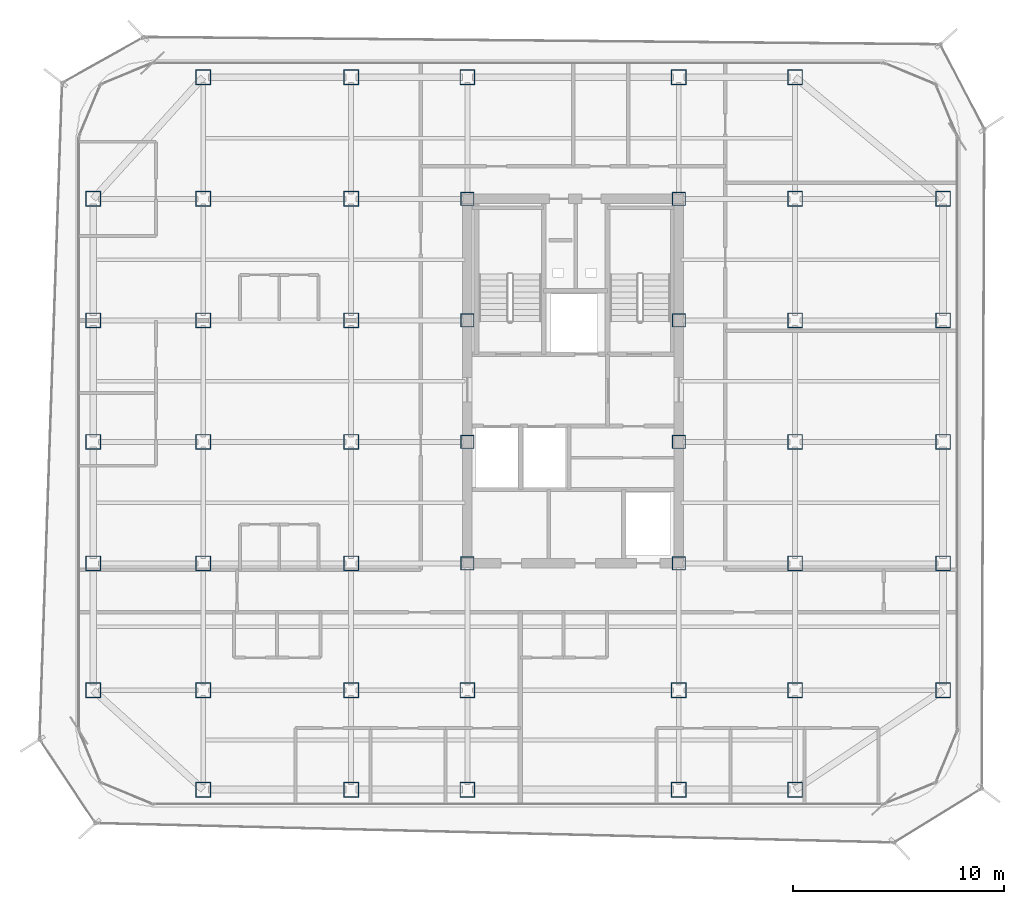
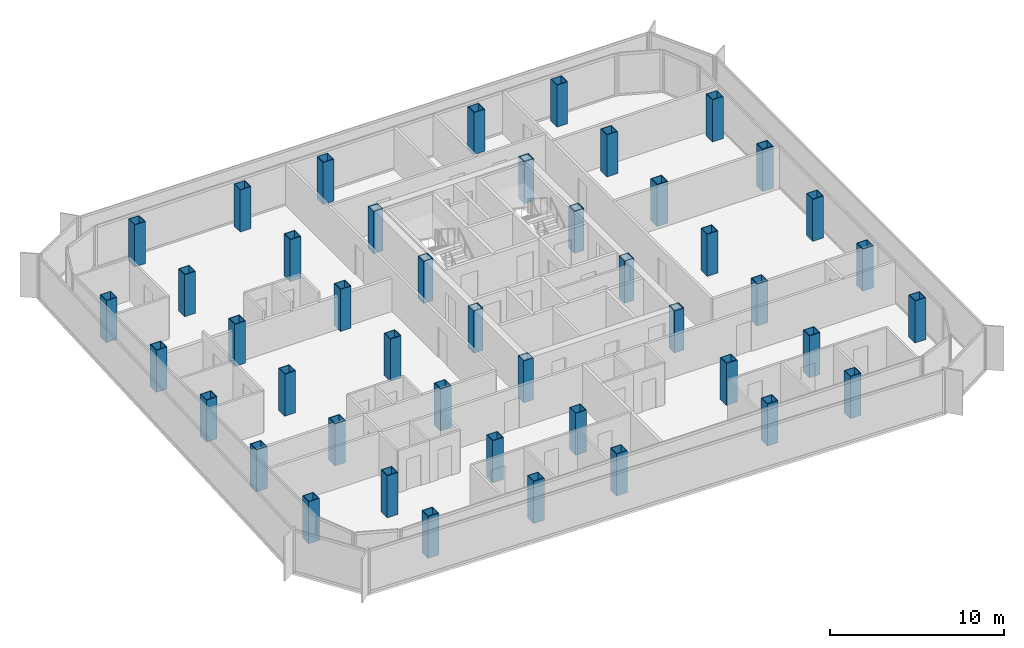
# One storey, part 1 of 15: 45 columns.
"""IFC4 building model written with IfcOpenShell, lengths in metres."""

from ifc_helpers import new_model, si_unit, direction, frame, origin, origin_2d, place, context, subcontext, project, spatial, hollow_rectangle, extrude, source, transform, mapped, material, material_profile, profile_set, type_object, element, save


model = new_model("IFC4")

# Units and contexts
model_context = context("Model", 3, precision=1e-05, world=origin(), true_north=direction((0.0, 1.0)))
body_context = subcontext(model_context, "Body", "Model", "MODEL_VIEW")
ifc_project = project(units=[si_unit("LENGTHUNIT", "METRE"), si_unit("AREAUNIT", "SQUARE_METRE"), si_unit("VOLUMEUNIT", "CUBIC_METRE"), si_unit("PLANEANGLEUNIT", "RADIAN"), si_unit("MASSUNIT", "GRAM", prefix="KILO")], contexts=[model_context])

# Site, building, storey
site_placement = place(None, origin())
site = spatial("IfcSite", under=ifc_project, at=site_placement, CompositionType="ELEMENT")
building_placement = place(site_placement, origin())
building = spatial("IfcBuilding", under=site, at=building_placement, Name="Kolveth Station Tower", CompositionType="ELEMENT")
storey_placement = place(building_placement, frame((0.0, 0.0, 181.699951171875)))
storey = spatial("IfcBuildingStorey", under=building, at=storey_placement, Name="L51", CompositionType="ELEMENT", Elevation=181.699951171875)

# Columns
ifc_material = material(Name="Steel S355", Category="steel")
ifc_material_profile_1 = material_profile(ifc_material, hollow_rectangle(XDim=0.719970703125, YDim=0.719970703125, WallThickness=0.0400390625, at=origin_2d()), Name="BOX720x720x40")
ifc_profile_set_1 = profile_set([ifc_material_profile_1], Name="Steel S355")
column_type_1 = type_object("IfcColumnType", Name="Col_C6", PredefinedType="COLUMN", material=ifc_profile_set_1)
shared_shape_1 = source(origin(), body_context, "Body", "SweptSolid", [
    extrude(hollow_rectangle(XDim=0.719970703125, YDim=0.719970703125, WallThickness=0.0400390625, at=origin_2d()), origin(), (0.0, 0.0, 1.0), 2.949951171875),
])
for number, where, z_axis, x_axis, name in (
    (1, (6.0, 0.800048828125, 0.0), (0.0, 0.0, 1.0), (1.0, 0.0, 0.0), "L51 Tower Column S-X60"),
    (2, (6.0, 34.5, 0.0), (0.0, 0.0, 1.0), (1.0, 0.0, 0.0), "L51 Tower Column N-X60"),
    (3, (13.0, 0.800048828125, 0.0), (0.0, 0.0, 1.0), (1.0, 0.0, 0.0), "L51 Tower Column S-X130"),
    (4, (13.0, 34.5, 0.0), (0.0, 0.0, 1.0), (1.0, 0.0, 0.0), "L51 Tower Column N-X130"),
    (5, (18.5, 0.800048828125, 0.0), (0.0, 0.0, 1.0), (1.0, 0.0, 0.0), "L51 Tower Column S-X185"),
    (6, (18.5, 34.5, 0.0), (0.0, 0.0, 1.0), (1.0, 0.0, 0.0), "L51 Tower Column N-X185"),
    (7, (28.5, 0.800048828125, 0.0), (0.0, 0.0, 1.0), (1.0, 0.0, 0.0), "L51 Tower Column S-X285"),
    (8, (28.5, 34.5, 0.0), (0.0, 0.0, 1.0), (1.0, 0.0, 0.0), "L51 Tower Column N-X285"),
    (9, (34.0, 0.800048828125, 0.0), (0.0, 0.0, 1.0), (1.0, 0.0, 0.0), "L51 Tower Column S-X340"),
    (10, (34.0, 34.5, 0.0), (0.0, 0.0, 1.0), (1.0, 0.0, 0.0), "L51 Tower Column N-X340"),
    (11, (0.800048828125, 5.5, 0.0), (0.0, 0.0, 1.0), (1.0, 0.0, 0.0), "L51 Tower Column W-Y55"),
    (12, (41.0, 5.5, 0.0), (0.0, 0.0, 1.0), (1.0, 0.0, 0.0), "L51 Tower Column E-Y55"),
    (13, (0.800048828125, 11.5, 0.0), (0.0, 0.0, 1.0), (1.0, 0.0, 0.0), "L51 Tower Column W-Y115"),
    (14, (41.0, 11.5, 0.0), (0.0, 0.0, 1.0), (1.0, 0.0, 0.0), "L51 Tower Column E-Y115"),
    (15, (0.800048828125, 17.25, 0.0), (0.0, 0.0, 1.0), (1.0, 0.0, 0.0), "L51 Tower Column W-Y172"),
    (16, (41.0, 17.25, 0.0), (0.0, 0.0, 1.0), (1.0, 0.0, 0.0), "L51 Tower Column E-Y172"),
    (17, (0.800048828125, 23.0, 0.0), (0.0, 0.0, 1.0), (1.0, 0.0, 0.0), "L51 Tower Column W-Y230"),
    (18, (41.0, 23.0, 0.0), (0.0, 0.0, 1.0), (1.0, 0.0, 0.0), "L51 Tower Column E-Y230"),
    (19, (0.800048828125, 28.75, 0.0), (0.0, 0.0, 1.0), (1.0, 0.0, 0.0), "L51 Tower Column W-Y287"),
    (20, (41.0, 28.75, 0.0), (0.0, 0.0, 1.0), (1.0, 0.0, 0.0), "L51 Tower Column E-Y287"),
    (21, (6.0, 5.5, 0.0), (0.0, 0.0, 1.0), (1.0, 0.0, 0.0), "L51 Tower Column G-60-55"),
    (22, (6.0, 11.5, 0.0), (0.0, 0.0, 1.0), (1.0, 0.0, 0.0), "L51 Tower Column G-60-115"),
    (23, (6.0, 17.25, 0.0), (0.0, 0.0, 1.0), (1.0, 0.0, 0.0), "L51 Tower Column G-60-172"),
    (24, (6.0, 23.0, 0.0), (0.0, 0.0, 1.0), (1.0, 0.0, 0.0), "L51 Tower Column G-60-230"),
    (25, (6.0, 28.75, 0.0), (0.0, 0.0, 1.0), (1.0, 0.0, 0.0), "L51 Tower Column G-60-287"),
    (26, (13.0, 5.5, 0.0), (0.0, 0.0, 1.0), (1.0, 0.0, 0.0), "L51 Tower Column G-130-55"),
    (27, (13.0, 11.5, 0.0), (0.0, 0.0, 1.0), (1.0, 0.0, 0.0), "L51 Tower Column G-130-115"),
    (28, (13.0, 17.25, 0.0), (0.0, 0.0, 1.0), (1.0, 0.0, 0.0), "L51 Tower Column G-130-172"),
    (29, (13.0, 23.0, 0.0), (0.0, 0.0, 1.0), (1.0, 0.0, 0.0), "L51 Tower Column G-130-230"),
    (30, (13.0, 28.75, 0.0), (0.0, 0.0, 1.0), (1.0, 0.0, 0.0), "L51 Tower Column G-130-287"),
    (31, (18.5, 5.5, 0.0), (0.0, 0.0, 1.0), (1.0, 0.0, 0.0), "L51 Tower Column G-185-55"),
    (32, (28.5, 5.5, 0.0), (0.0, 0.0, 1.0), (1.0, 0.0, 0.0), "L51 Tower Column G-285-55"),
    (33, (34.0, 5.5, 0.0), (0.0, 0.0, 1.0), (1.0, 0.0, 0.0), "L51 Tower Column G-340-55"),
    (34, (34.0, 11.5, 0.0), (0.0, 0.0, 1.0), (1.0, 0.0, 0.0), "L51 Tower Column G-340-115"),
    (35, (34.0, 17.25, 0.0), (0.0, 0.0, 1.0), (1.0, 0.0, 0.0), "L51 Tower Column G-340-172"),
    (36, (34.0, 23.0, 0.0), (0.0, 0.0, 1.0), (1.0, 0.0, 0.0), "L51 Tower Column G-340-230"),
    (37, (34.0, 28.75, 0.0), (0.0, 0.0, 1.0), (1.0, 0.0, 0.0), "L51 Tower Column G-340-287"),
):
    element("IfcColumn", number, at=place(storey_placement, frame(where, z_axis=z_axis, x_axis=x_axis)), inside=storey, type_object=column_type_1, Name=name, PredefinedType="COLUMN", context=body_context, shape_type="MappedRepresentation", body=[
        mapped(shared_shape_1, transform((0.0, 0.0, 0.0), x_axis=(1.0, 0.0, 0.0), y_axis=(0.0, 1.0, 0.0), z_axis=(0.0, 0.0, 1.0), scale=1.0)),
    ])
ifc_material_profile_2 = material_profile(ifc_material, hollow_rectangle(XDim=0.639892578125, YDim=0.639892578125, WallThickness=0.034912109375, at=origin_2d()), Name="BOX640x640x35")
ifc_profile_set_2 = profile_set([ifc_material_profile_2], Name="Steel S355")
column_type_2 = type_object("IfcColumnType", Name="Col_C7", PredefinedType="COLUMN", material=ifc_profile_set_2)
shared_shape_2 = source(origin(), body_context, "Body", "SweptSolid", [
    extrude(hollow_rectangle(XDim=0.639892578125, YDim=0.639892578125, WallThickness=0.034912109375, at=origin_2d()), origin(), (0.0, 0.0, 1.0), 2.949951171875),
])
for number, where, z_axis, x_axis, name in (
    (38, (18.5, 11.5, 0.0), (0.0, 0.0, 1.0), (1.0, 0.0, 0.0), "L51 Tower Column G-185-115"),
    (39, (18.5, 17.25, 0.0), (0.0, 0.0, 1.0), (1.0, 0.0, 0.0), "L51 Tower Column G-185-172"),
    (40, (18.5, 23.0, 0.0), (0.0, 0.0, 1.0), (1.0, 0.0, 0.0), "L51 Tower Column G-185-230"),
    (41, (18.5, 28.75, 0.0), (0.0, 0.0, 1.0), (1.0, 0.0, 0.0), "L51 Tower Column G-185-287"),
    (42, (28.5, 11.5, 0.0), (0.0, 0.0, 1.0), (1.0, 0.0, 0.0), "L51 Tower Column G-285-115"),
    (43, (28.5, 17.25, 0.0), (0.0, 0.0, 1.0), (1.0, 0.0, 0.0), "L51 Tower Column G-285-172"),
    (44, (28.5, 23.0, 0.0), (0.0, 0.0, 1.0), (1.0, 0.0, 0.0), "L51 Tower Column G-285-230"),
    (45, (28.5, 28.75, 0.0), (0.0, 0.0, 1.0), (1.0, 0.0, 0.0), "L51 Tower Column G-285-287"),
):
    element("IfcColumn", number, at=place(storey_placement, frame(where, z_axis=z_axis, x_axis=x_axis)), inside=storey, type_object=column_type_2, Name=name, PredefinedType="COLUMN", context=body_context, shape_type="MappedRepresentation", body=[
        mapped(shared_shape_2, transform((0.0, 0.0, 0.0), x_axis=(1.0, 0.0, 0.0), y_axis=(0.0, 1.0, 0.0), z_axis=(0.0, 0.0, 1.0), scale=1.0)),
    ])

save(model, "model.ifc")
